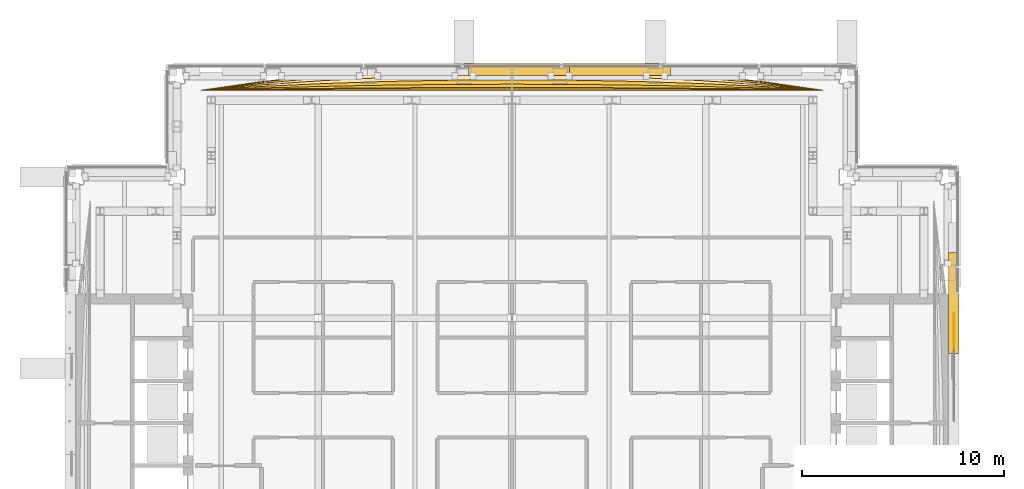
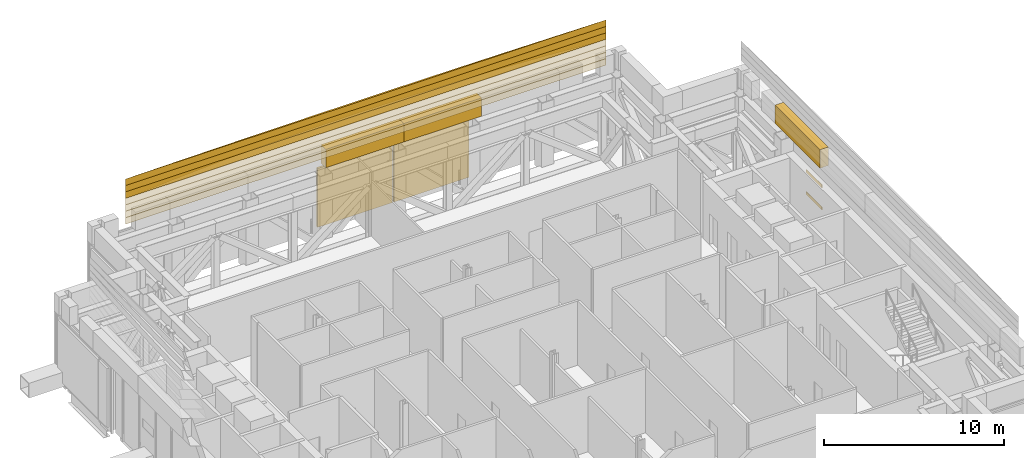
# One storey, part 27 of 29: 14 coverings.
"""IFC4 building model written with IfcOpenShell, lengths in metres."""

from ifc_helpers import new_model, si_unit, direction, frame, origin, origin_2d, place, context, subcontext, project, spatial, polyline, rectangle, outline, extrude, material, type_object, element, save


model = new_model("IFC4")

# Units and contexts
model_context = context("Model", 3, precision=1e-05, world=origin(), true_north=direction((0.0, 1.0)))
body_context = subcontext(model_context, "Body", "Model", "MODEL_VIEW")
ifc_project = project(units=[si_unit("LENGTHUNIT", "METRE"), si_unit("AREAUNIT", "SQUARE_METRE"), si_unit("VOLUMEUNIT", "CUBIC_METRE"), si_unit("PLANEANGLEUNIT", "RADIAN"), si_unit("MASSUNIT", "GRAM", prefix="KILO")], contexts=[model_context])

# Site, building, storey
site_placement = place(None, origin())
site = spatial("IfcSite", under=ifc_project, at=site_placement, CompositionType="ELEMENT")
building_placement = place(site_placement, origin())
building = spatial("IfcBuilding", under=site, at=building_placement, Name="Cobrizo Arcos Hotel Tower", CompositionType="ELEMENT")
storey_placement = place(building_placement, frame((0.0, 0.0, 186.5)))
storey = spatial("IfcBuildingStorey", under=building, at=storey_placement, Name="L48", CompositionType="ELEMENT", Elevation=186.5)

# Coverings
ifc_material_1 = material(Name="Aluminium 6063-T6 anodised pale", Category="aluminium")
covering_type_1 = type_object("IfcCoveringType", Name="LF-1 setback skirt", PredefinedType="CLADDING", material=ifc_material_1)
covering_1_placement = place(storey_placement, frame((0.0, 0.0, 4.5)))
element("IfcCovering", 1, at=covering_1_placement, inside=storey, type_object=covering_type_1, Name="Setback skirt L48", PredefinedType="CLADDING", context=body_context, shape_type="SweptSolid", body=[
    extrude(outline(polyline([(-2.14990234375, 21.610107421875), (2.85009765625, 21.610107421875), (2.85009765625, 22.14990234375), (-2.14990234375, 22.14990234375), (-2.14990234375, 21.610107421875)])), origin(), (0.0, 0.0, 1.0), 1.25),
])
covering_2_placement = place(storey_placement, frame((0.0, 0.0, 4.5)))
element("IfcCovering", 2, at=covering_2_placement, inside=storey, type_object=covering_type_1, Name="Setback skirt L48", PredefinedType="CLADDING", context=body_context, shape_type="SweptSolid", body=[
    extrude(outline(polyline([(2.85009765625, 21.610107421875), (7.85009765625, 21.610107421875), (7.85009765625, 22.14990234375), (2.85009765625, 22.14990234375), (2.85009765625, 21.610107421875)])), origin(), (0.0, 0.0, 1.0), 1.25),
])
covering_3_placement = place(storey_placement, frame((0.0, 0.0, 4.5)))
element("IfcCovering", 3, at=covering_3_placement, inside=storey, type_object=covering_type_1, Name="Setback skirt L48", PredefinedType="CLADDING", context=body_context, shape_type="SweptSolid", body=[
    extrude(outline(polyline([(22.14990234375, 7.85009765625), (22.14990234375, 12.85009765625), (21.610107421875, 12.85009765625), (21.610107421875, 7.85009765625), (22.14990234375, 7.85009765625)])), origin(), (0.0, 0.0, 1.0), 1.25),
])
covering_type_2 = type_object("IfcCoveringType", Name="LF-2 setback roll course", PredefinedType="CLADDING", material=ifc_material_1)
covering_4_placement = place(storey_placement, frame((0.0, 0.0, 5.75)))
element("IfcCovering", 4, at=covering_4_placement, inside=storey, type_object=covering_type_2, Name="Setback roll L48 N", PredefinedType="CLADDING", context=body_context, shape_type="SweptSolid", body=[
    extrude(outline(polyline([(15.39990234375, 20.89990234375), (12.320068359375, 21.344970703125), (9.239990234375, 21.69091796875), (6.159912109375, 21.938232421875), (3.080078125, 22.08642578125), (0.0, 22.135986328125), (-3.080078125, 22.08642578125), (-6.159912109375, 21.938232421875), (-9.239990234375, 21.69091796875), (-12.320068359375, 21.344970703125), (-15.39990234375, 20.89990234375), (-15.39990234375, 20.89990234375), (15.39990234375, 20.89990234375)])), origin(), (0.0, 0.0, 1.0), 0.4375),
])
covering_5_placement = place(storey_placement, frame((0.0, 0.0, 6.1875)))
element("IfcCovering", 5, at=covering_5_placement, inside=storey, type_object=covering_type_2, Name="Setback roll L48 N", PredefinedType="CLADDING", context=body_context, shape_type="SweptSolid", body=[
    extrude(outline(polyline([(15.39990234375, 20.89990234375), (12.320068359375, 21.30859375), (9.239990234375, 21.626220703125), (6.159912109375, 21.85302734375), (3.080078125, 21.9892578125), (0.0, 22.03466796875), (-3.080078125, 21.9892578125), (-6.159912109375, 21.85302734375), (-9.239990234375, 21.626220703125), (-12.320068359375, 21.30859375), (-15.39990234375, 20.89990234375), (-15.39990234375, 20.89990234375), (15.39990234375, 20.89990234375)])), origin(), (0.0, 0.0, 1.0), 0.4375),
])
covering_6_placement = place(storey_placement, frame((0.0, 0.0, 6.625)))
element("IfcCovering", 6, at=covering_6_placement, inside=storey, type_object=covering_type_2, Name="Setback roll L48 N", PredefinedType="CLADDING", context=body_context, shape_type="SweptSolid", body=[
    extrude(outline(polyline([(15.39990234375, 20.89990234375), (12.320068359375, 21.24560546875), (9.239990234375, 21.514404296875), (6.159912109375, 21.70654296875), (3.080078125, 21.82177734375), (0.0, 21.860107421875), (-3.080078125, 21.82177734375), (-6.159912109375, 21.70654296875), (-9.239990234375, 21.514404296875), (-12.320068359375, 21.24560546875), (-15.39990234375, 20.89990234375), (-15.39990234375, 20.89990234375), (15.39990234375, 20.89990234375)])), origin(), (0.0, 0.0, 1.0), 0.4375),
])
covering_7_placement = place(storey_placement, frame((0.0, 0.0, 7.0625)))
element("IfcCovering", 7, at=covering_7_placement, inside=storey, type_object=covering_type_2, Name="Setback roll L48 N", PredefinedType="CLADDING", context=body_context, shape_type="SweptSolid", body=[
    extrude(outline(polyline([(15.39990234375, 20.89990234375), (12.320068359375, 21.1669921875), (9.239990234375, 21.37451171875), (6.159912109375, 21.52294921875), (3.080078125, 21.61181640625), (0.0, 21.6416015625), (-3.080078125, 21.61181640625), (-6.159912109375, 21.52294921875), (-9.239990234375, 21.37451171875), (-12.320068359375, 21.1669921875), (-15.39990234375, 20.89990234375), (-15.39990234375, 20.89990234375), (15.39990234375, 20.89990234375)])), origin(), (0.0, 0.0, 1.0), 0.4375),
])
covering_8_placement = place(storey_placement, frame((0.0, 0.0, 7.5)))
element("IfcCovering", 8, at=covering_8_placement, inside=storey, type_object=covering_type_2, Name="Setback roll L48 N", PredefinedType="CLADDING", context=body_context, shape_type="SweptSolid", body=[
    extrude(outline(polyline([(15.39990234375, 20.89990234375), (12.320068359375, 21.0830078125), (9.239990234375, 21.225341796875), (6.159912109375, 21.3271484375), (3.080078125, 21.38818359375), (0.0, 21.408447265625), (-3.080078125, 21.38818359375), (-6.159912109375, 21.3271484375), (-9.239990234375, 21.225341796875), (-12.320068359375, 21.0830078125), (-15.39990234375, 20.89990234375), (-15.39990234375, 20.89990234375), (15.39990234375, 20.89990234375)])), origin(), (0.0, 0.0, 1.0), 0.4375),
])
covering_9_placement = place(storey_placement, frame((0.0, 0.0, 7.9375)))
element("IfcCovering", 9, at=covering_9_placement, inside=storey, type_object=covering_type_2, Name="Setback roll L48 N", PredefinedType="CLADDING", context=body_context, shape_type="SweptSolid", body=[
    extrude(outline(polyline([(15.39990234375, 20.89990234375), (12.320068359375, 21.00439453125), (9.239990234375, 21.08544921875), (6.159912109375, 21.1435546875), (3.080078125, 21.17822265625), (0.0, 21.18994140625), (-3.080078125, 21.17822265625), (-6.159912109375, 21.1435546875), (-9.239990234375, 21.08544921875), (-12.320068359375, 21.00439453125), (-15.39990234375, 20.89990234375), (-15.39990234375, 20.89990234375), (15.39990234375, 20.89990234375)])), origin(), (0.0, 0.0, 1.0), 0.4375),
])
covering_10_placement = place(storey_placement, frame((0.0, 0.0, 8.375)))
element("IfcCovering", 10, at=covering_10_placement, inside=storey, type_object=covering_type_2, Name="Setback roll L48 N", PredefinedType="CLADDING", context=body_context, shape_type="SweptSolid", body=[
    extrude(outline(polyline([(15.39990234375, 20.89990234375), (12.320068359375, 20.94140625), (9.239990234375, 20.973876953125), (6.159912109375, 20.996826171875), (3.080078125, 21.0107421875), (0.0, 21.015380859375), (-3.080078125, 21.0107421875), (-6.159912109375, 20.996826171875), (-9.239990234375, 20.973876953125), (-12.320068359375, 20.94140625), (-15.39990234375, 20.89990234375), (-15.39990234375, 20.89990234375), (15.39990234375, 20.89990234375)])), origin(), (0.0, 0.0, 1.0), 0.4375),
])
ifc_material_2 = material(Name="Aluminium 6063-T6 anodised bronze", Category="aluminium")
covering_type_3 = type_object("IfcCoveringType", Name="LV-1 plant louvre band", PredefinedType="CLADDING", material=ifc_material_2)
for number, where, z_axis, x_axis, name in (
    (11, (4.89990234375, 22.155029296875, 0.25), (0.0, 0.0, 1.0), (-1.0, 0.0, 0.0), "louvre band 1683"),
    (12, (0.0, 22.155029296875, 0.25), (0.0, 0.0, 1.0), (-1.0, 0.0, 0.0), "louvre band 1684"),
):
    element("IfcCovering", number, at=place(storey_placement, frame(where, z_axis=z_axis, x_axis=x_axis)), inside=storey, type_object=covering_type_3, Name=name, PredefinedType="CLADDING", context=body_context, shape_type="SweptSolid", body=[
        extrude(rectangle(XDim=4.800048828125, YDim=0.1201171875, at=origin_2d()), origin(), (0.0, 0.0, 1.0), 4.0),
    ])
covering_type_4 = type_object("IfcCoveringType", Name="RS-3 rainscreen louvre slat 200x40", PredefinedType="CLADDING", material=ifc_material_1)
for number, where, z_axis, x_axis, name in (
    (13, (21.89501953125, 9.0, 1.39990234375), (0.0, 0.0, 1.0), (0.0, 1.0, 0.0), "Rainscreen slat 3"),
    (14, (21.89501953125, 9.0, 2.89990234375), (0.0, 0.0, 1.0), (0.0, 1.0, 0.0), "Rainscreen slat 4"),
):
    element("IfcCovering", number, at=place(storey_placement, frame(where, z_axis=z_axis, x_axis=x_axis)), inside=storey, type_object=covering_type_4, Name=name, PredefinedType="CLADDING", context=body_context, shape_type="SweptSolid", body=[
        extrude(rectangle(XDim=1.739990234375, YDim=0.0400390625, at=origin_2d()), origin(), (0.0, 0.0, 1.0), 0.199951171875),
    ])

save(model, "model.ifc")
